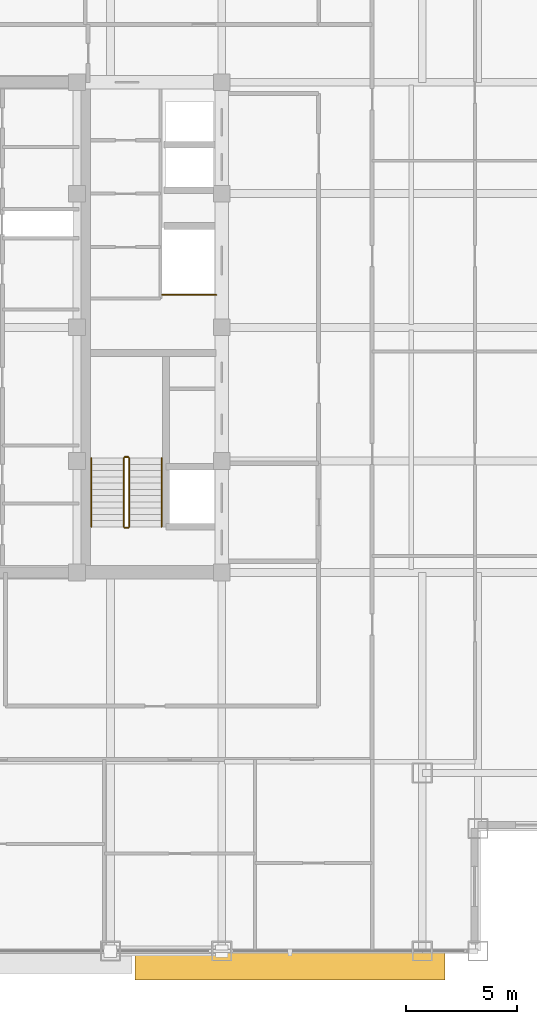
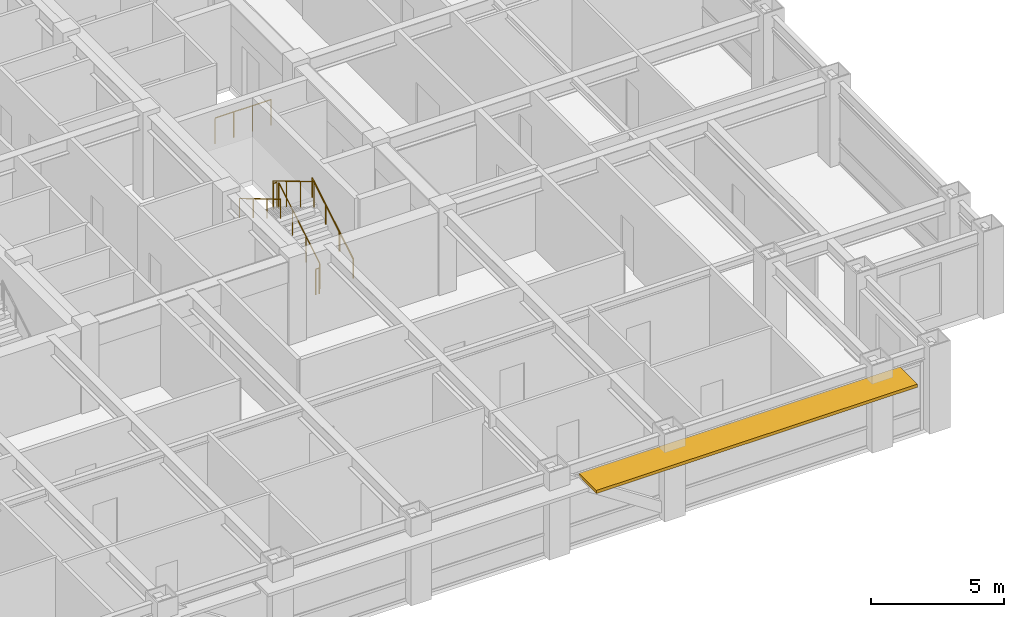
# One storey, part 27 of 29: 7 railings, 1 shading device.
"""IFC4 building model written with IfcOpenShell, lengths in metres."""

from ifc_helpers import new_model, si_unit, direction, frame, origin, origin_2d, place, context, subcontext, project, spatial, rectangle, circle, extrude, source, transform, mapped, material, layer, layer_set, type_object, element, save


model = new_model("IFC4")

# Units and contexts
model_context = context("Model", 3, precision=1e-05, world=origin(), true_north=direction((0.0, 1.0)))
body_context = subcontext(model_context, "Body", "Model", "MODEL_VIEW")
ifc_project = project(units=[si_unit("LENGTHUNIT", "METRE"), si_unit("AREAUNIT", "SQUARE_METRE"), si_unit("VOLUMEUNIT", "CUBIC_METRE"), si_unit("PLANEANGLEUNIT", "RADIAN"), si_unit("MASSUNIT", "GRAM", prefix="KILO")], contexts=[model_context])

# Site, building, storey
site_placement = place(None, origin())
site = spatial("IfcSite", under=ifc_project, at=site_placement, CompositionType="ELEMENT")
building_placement = place(site_placement, origin())
building = spatial("IfcBuilding", under=site, at=building_placement, Name="Khorayat Bourse Tower", CompositionType="ELEMENT")
storey_placement = place(building_placement, frame((0.0, 0.0, 277.5)))
storey = spatial("IfcBuildingStorey", under=building, at=storey_placement, Name="L65", CompositionType="ELEMENT", Elevation=277.5)

# Shading device
ifc_material_1 = material(Name="Precast concrete C45/55", Category="concrete")
ifc_layer = layer(ifc_material_1, 0.139892578125)
ifc_layer_set = layer_set([ifc_layer], Name="Precast concrete C45/55")
shading_device_type = type_object("IfcShadingDeviceType", Name="SHD-WAVE-TRAY-B", PredefinedType="USERDEFINED", material=ifc_layer_set)
shared_shape_1 = source(origin(), body_context, "Body", "SweptSolid", [
    extrude(rectangle(XDim=13.9267578125, YDim=1.31298828125, at=origin_2d()), origin(), (0.0, 0.0, 1.0), 0.139892578125),
])
shading_device_placement = place(storey_placement, frame((14.066650390625, -28.636474609375, 3.0302734375), z_axis=(0.0, 0.0, 1.0), x_axis=(1.0, 0.0, 0.0)))
element("IfcShadingDevice", 1, at=shading_device_placement, inside=storey, type_object=shading_device_type, Name="L65 Sinusoidal Wave Sunshade Tray S-3", ObjectType="SUNSHADE", PredefinedType="USERDEFINED", context=body_context, shape_type="MappedRepresentation", body=[
    mapped(shared_shape_1, transform((0.0, 0.0, 0.0), scale=1.0)),
])

# Railings
ifc_material_2 = material(Name="Powder-coated steel balustrade", Category="steel")
railing_type_1 = type_object("IfcRailingType", Name="RLG-GUARD-1200", PredefinedType="GUARDRAIL", material=ifc_material_2)
shared_shape_2 = source(origin(), body_context, "Body", "SweptSolid", [
    extrude(circle(Radius=0.02392578125, at=origin_2d()), frame((0.0, 0.0, 1.17578125), z_axis=(-1.0, 0.0, 0.0), x_axis=(0.0, -1.0, 0.0)), (0.0, 0.0, 1.0), 0.150146484375),
    extrude(circle(Radius=0.02099609375, at=origin_2d()), origin(), (0.0, 0.0, 1.0), 1.15185546875),
    extrude(circle(Radius=0.02099609375, at=origin_2d()), frame((-0.150146484375, 0.0, 0.0)), (0.0, 0.0, 1.0), 1.15185546875),
])
for number, where, name in (
    (2, (6.800048828125, -5.820068359375, 2.0), "L65 ST-3 stair guard 2"),
    (3, (6.800048828125, -9.0, 0.0), "L65 ST-3 stair guard 4"),
):
    element("IfcRailing", number, at=place(storey_placement, frame(where)), inside=storey, type_object=railing_type_1, Name=name, PredefinedType="GUARDRAIL", context=body_context, shape_type="MappedRepresentation", body=[
        mapped(shared_shape_2, transform((0.0, 0.0, 0.0), scale=1.0)),
    ])
shared_shape_3 = source(origin(), body_context, "Body", "SweptSolid", [
    extrude(circle(Radius=0.02392578125, at=origin_2d()), frame((0.0, 0.0, 1.17578125), z_axis=(0.0, 0.859290745958, 0.51148745235), x_axis=(-1.0, 0.0, 0.0)), (0.0, 0.0, 1.0), 3.584228515625),
    extrude(circle(Radius=0.02099609375, at=origin_2d()), origin(), (0.0, 0.0, 1.0), 1.15185546875),
    extrude(circle(Radius=0.02099609375, at=origin_2d()), frame((0.0, 1.026611328125, 0.611083984375)), (0.0, 0.0, 1.0), 1.15185546875),
    extrude(circle(Radius=0.02099609375, at=origin_2d()), frame((0.0, 2.05322265625, 1.22216796875)), (0.0, 0.0, 1.0), 1.15185546875),
    extrude(circle(Radius=0.02099609375, at=origin_2d()), frame((0.0, 3.079833984375, 1.833251953125)), (0.0, 0.0, 1.0), 1.15185546875),
])
railing_1_placement = place(storey_placement, frame((6.85009765625, -8.949951171875, 0.166748046875)))
element("IfcRailing", 4, at=railing_1_placement, inside=storey, type_object=railing_type_1, Name="L65 ST-3 stair guard 1", PredefinedType="GUARDRAIL", context=body_context, shape_type="MappedRepresentation", body=[
    mapped(shared_shape_3, transform((0.0, 0.0, 0.0), scale=1.0)),
])
shared_shape_4 = source(origin(), body_context, "Body", "SweptSolid", [
    extrude(circle(Radius=0.02392578125, at=origin_2d()), frame((0.0, 0.0, 1.17578125), z_axis=(0.0, -0.859290745958, 0.51148745235), x_axis=(1.0, 0.0, 0.0)), (0.0, 0.0, 1.0), 3.584228515625),
    extrude(circle(Radius=0.02099609375, at=origin_2d()), origin(), (0.0, 0.0, 1.0), 1.15185546875),
    extrude(circle(Radius=0.02099609375, at=origin_2d()), frame((0.0, -1.026611328125, 0.611083984375)), (0.0, 0.0, 1.0), 1.15185546875),
    extrude(circle(Radius=0.02099609375, at=origin_2d()), frame((0.0, -2.05322265625, 1.22216796875)), (0.0, 0.0, 1.0), 1.15185546875),
    extrude(circle(Radius=0.02099609375, at=origin_2d()), frame((0.0, -3.079833984375, 1.833251953125)), (0.0, 0.0, 1.0), 1.15185546875),
])
railing_2_placement = place(storey_placement, frame((6.60009765625, -5.8701171875, 2.166748046875)))
element("IfcRailing", 5, at=railing_2_placement, inside=storey, type_object=railing_type_1, Name="L65 ST-3 stair guard 3", PredefinedType="GUARDRAIL", context=body_context, shape_type="MappedRepresentation", body=[
    mapped(shared_shape_4, transform((0.0, 0.0, 0.0), scale=1.0)),
])
ifc_material_3 = material(Name="Brushed bronze stainless-steel handrail", Category="steel")
railing_type_2 = type_object("IfcRailingType", Name="RLG-HAND-900", PredefinedType="HANDRAIL", material=ifc_material_3)
shared_shape_5 = source(origin(), body_context, "Body", "SweptSolid", [
    extrude(circle(Radius=0.02392578125, at=origin_2d()), frame((0.0, 0.0, 0.8759765625), z_axis=(0.0, 0.859290745958, 0.51148745235), x_axis=(-1.0, 0.0, 0.0)), (0.0, 0.0, 1.0), 3.584228515625),
    extrude(circle(Radius=0.02099609375, at=origin_2d()), origin(), (0.0, 0.0, 1.0), 0.851806640625),
    extrude(circle(Radius=0.02099609375, at=origin_2d()), frame((0.0, 1.026611328125, 0.611083984375)), (0.0, 0.0, 1.0), 0.851806640625),
    extrude(circle(Radius=0.02099609375, at=origin_2d()), frame((0.0, 2.05322265625, 1.22216796875)), (0.0, 0.0, 1.0), 0.851806640625),
    extrude(circle(Radius=0.02099609375, at=origin_2d()), frame((0.0, 3.079833984375, 1.833251953125)), (0.0, 0.0, 1.0), 0.851806640625),
])
railing_3_placement = place(storey_placement, frame((8.300048828125, -8.949951171875, 0.166748046875)))
element("IfcRailing", 6, at=railing_3_placement, inside=storey, type_object=railing_type_2, Name="L65 ST-3 stair handrail 1", PredefinedType="HANDRAIL", context=body_context, shape_type="MappedRepresentation", body=[
    mapped(shared_shape_5, transform((0.0, 0.0, 0.0), scale=1.0)),
])
shared_shape_6 = source(origin(), body_context, "Body", "SweptSolid", [
    extrude(circle(Radius=0.02392578125, at=origin_2d()), frame((0.0, 0.0, 0.8759765625), z_axis=(0.0, -0.859290745958, 0.51148745235), x_axis=(1.0, 0.0, 0.0)), (0.0, 0.0, 1.0), 3.584228515625),
    extrude(circle(Radius=0.02099609375, at=origin_2d()), origin(), (0.0, 0.0, 1.0), 0.851806640625),
    extrude(circle(Radius=0.02099609375, at=origin_2d()), frame((0.0, -1.026611328125, 0.611083984375)), (0.0, 0.0, 1.0), 0.851806640625),
    extrude(circle(Radius=0.02099609375, at=origin_2d()), frame((0.0, -2.05322265625, 1.22216796875)), (0.0, 0.0, 1.0), 0.851806640625),
    extrude(circle(Radius=0.02099609375, at=origin_2d()), frame((0.0, -3.079833984375, 1.833251953125)), (0.0, 0.0, 1.0), 0.851806640625),
])
railing_4_placement = place(storey_placement, frame((5.14990234375, -5.8701171875, 2.166748046875)))
element("IfcRailing", 7, at=railing_4_placement, inside=storey, type_object=railing_type_2, Name="L65 ST-3 stair handrail 2", PredefinedType="HANDRAIL", context=body_context, shape_type="MappedRepresentation", body=[
    mapped(shared_shape_6, transform((0.0, 0.0, 0.0), scale=1.0)),
])
shared_shape_7 = source(origin(), body_context, "Body", "SweptSolid", [
    extrude(circle(Radius=0.02392578125, at=origin_2d()), frame((0.0, 0.0, 1.17578125), z_axis=(1.0, 0.0, 0.0), x_axis=(0.0, 1.0, 0.0)), (0.0, 0.0, 1.0), 2.429931640625),
    extrude(circle(Radius=0.02099609375, at=origin_2d()), origin(), (0.0, 0.0, 1.0), 1.15185546875),
    extrude(circle(Radius=0.02099609375, at=origin_2d()), frame((0.81005859375, 0.0, 0.0)), (0.0, 0.0, 1.0), 1.15185546875),
    extrude(circle(Radius=0.02099609375, at=origin_2d()), frame((1.619873046875, 0.0, 0.0)), (0.0, 0.0, 1.0), 1.15185546875),
    extrude(circle(Radius=0.02099609375, at=origin_2d()), frame((2.429931640625, 0.0, 0.0)), (0.0, 0.0, 1.0), 1.15185546875),
])
railing_5_placement = place(storey_placement, frame((8.320068359375, 1.4599609375, 0.0)))
element("IfcRailing", 8, at=railing_5_placement, inside=storey, type_object=railing_type_1, Name="L65 Goods Shaft Opening Guardrail", PredefinedType="GUARDRAIL", context=body_context, shape_type="MappedRepresentation", body=[
    mapped(shared_shape_7, transform((0.0, 0.0, 0.0), scale=1.0)),
])

save(model, "model.ifc")
